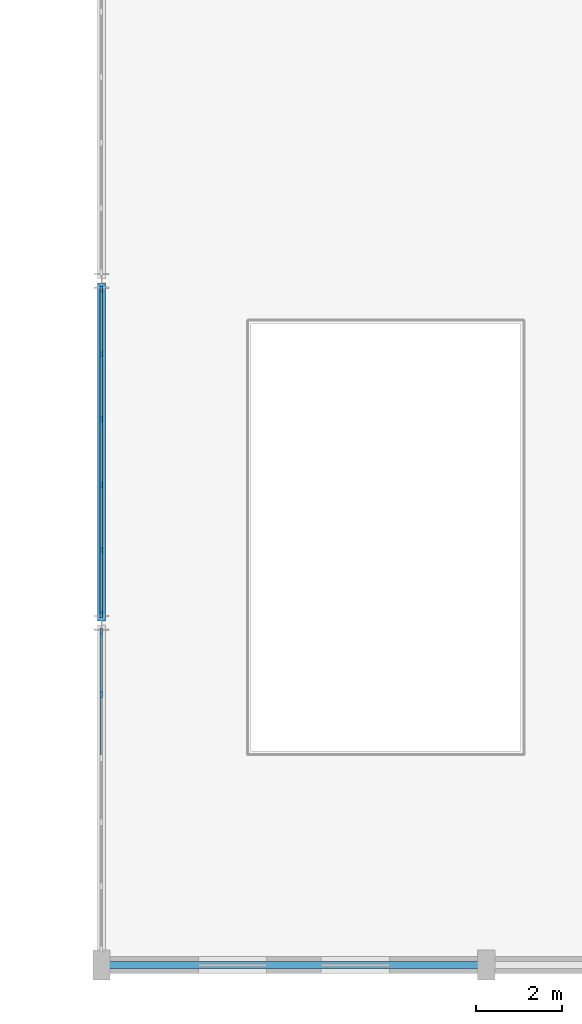
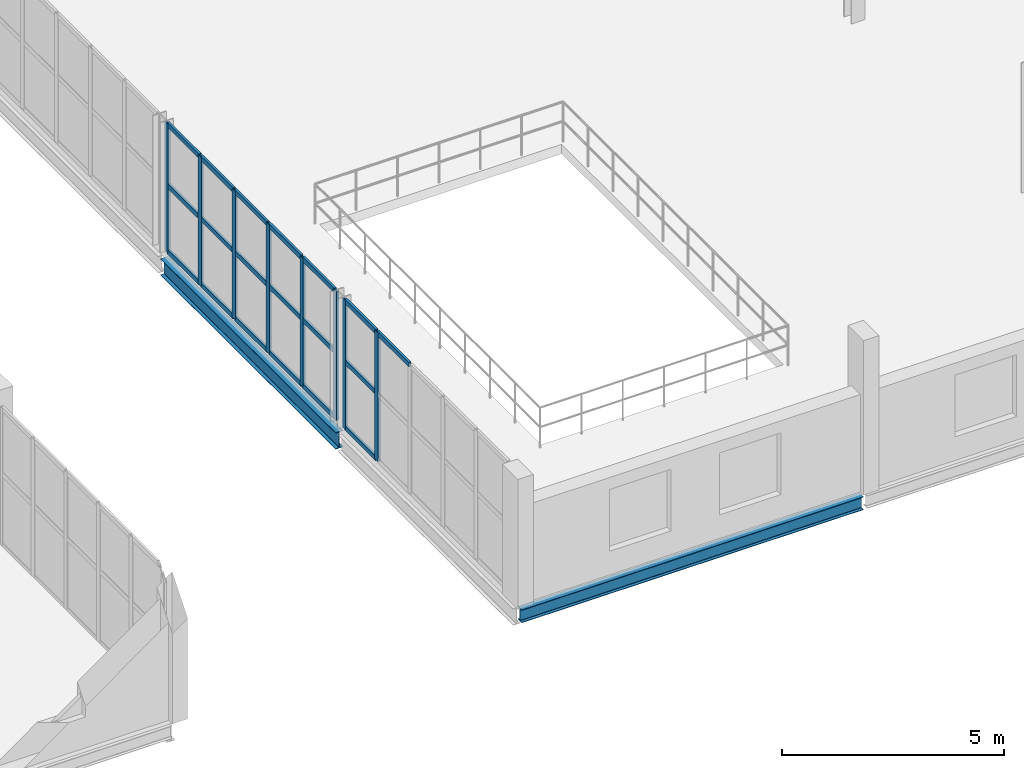
# One storey, part 15 of 73: 27 members, 2 beams, 2 elements without a shape of their own.
"""IFC4 building model written with IfcOpenShell, lengths in metres."""

from ifc_helpers import new_model, si_unit, direction, frame, origin, origin_2d, place, context, subcontext, project, spatial, rectangle, i_section, extrude, material, layer, layer_set, material_profile, profile_set, type_object, element, aggregate, save


model = new_model("IFC4")

# Units and contexts
model_context = context("Model", 3, precision=1e-05, world=origin(), true_north=direction((0.0, 1.0)))
body_context = subcontext(model_context, "Body", "Model", "MODEL_VIEW")
ifc_project = project(units=[si_unit("LENGTHUNIT", "METRE"), si_unit("AREAUNIT", "SQUARE_METRE"), si_unit("VOLUMEUNIT", "CUBIC_METRE"), si_unit("PLANEANGLEUNIT", "RADIAN"), si_unit("MASSUNIT", "GRAM", prefix="KILO")], contexts=[model_context])

# Site, building, storey
site_placement = place(None, origin())
site = spatial("IfcSite", under=ifc_project, at=site_placement, CompositionType="ELEMENT")
building_placement = place(site_placement, origin())
building = spatial("IfcBuilding", under=site, at=building_placement, Name="Marnock Terrace Opera House", CompositionType="ELEMENT")
storey_placement = place(building_placement, frame((0.0, 0.0, 14.699951171875)))
storey = spatial("IfcBuildingStorey", under=building, at=storey_placement, Name="L03", CompositionType="ELEMENT", Elevation=14.699951171875)

# Beams
ifc_material_1 = material(Name="Steel Grade 350 (AS/NZS 3679.1)", Category="steel")
ifc_material_profile_1 = material_profile(ifc_material_1, i_section(OverallWidth=0.18994140625, OverallDepth=0.45751953125, WebThickness=0.009033203125, FlangeThickness=0.014404296875, FilletRadius=0.011474609375, at=origin_2d()))
ifc_profile_set_1 = profile_set([ifc_material_profile_1], Name="Steel Grade 350 (AS/NZS 3679.1)")
beam_type_1 = type_object("IfcBeamType", Name="BM-GIRD-460B", PredefinedType="BEAM", material=ifc_profile_set_1)
beam_1_placement = place(storey_placement, frame((55.0, 16.050048828125, -0.48876953125), z_axis=(0.0, 1.0, 0.0), x_axis=(-1.0, 0.0, 0.0)))
element("IfcBeam", 1, at=beam_1_placement, inside=storey, type_object=beam_type_1, Name="L03 girder (X=55.0, 16.0..24.0)", PredefinedType="BEAM", context=body_context, shape_type="SweptSolid", body=[
    extrude(i_section(OverallWidth=0.18994140625, OverallDepth=0.45751953125, WebThickness=0.009033203125, FlangeThickness=0.014404296875, FilletRadius=0.011474609375, at=origin_2d()), origin(), (0.0, 0.0, 1.0), 7.89990234375),
])
ifc_material_profile_2 = material_profile(ifc_material_1, i_section(OverallWidth=0.172119140625, OverallDepth=0.358642578125, WebThickness=0.008056640625, FlangeThickness=0.012939453125, FilletRadius=0.011474609375, at=origin_2d()))
ifc_profile_set_2 = profile_set([ifc_material_profile_2], Name="Steel Grade 350 (AS/NZS 3679.1)")
beam_type_2 = type_object("IfcBeamType", Name="BM-SPAN-360", PredefinedType="SPANDREL", material=ifc_profile_set_2)
beam_2_placement = place(storey_placement, frame((55.050048828125, 8.0, -0.439208984375), z_axis=(1.0, 0.0, 0.0), x_axis=(0.0, 1.0, 0.0)))
element("IfcBeam", 2, at=beam_2_placement, inside=storey, type_object=beam_type_2, Name="L03 girder (55.0..64.0, Y=8.0)", PredefinedType="SPANDREL", context=body_context, shape_type="SweptSolid", body=[
    extrude(i_section(OverallWidth=0.172119140625, OverallDepth=0.358642578125, WebThickness=0.008056640625, FlangeThickness=0.012939453125, FilletRadius=0.011474609375, at=origin_2d()), origin(), (0.0, 0.0, 1.0), 8.89990234375),
])

# Curtain wall, members
ifc_material_2 = material(Name="Anodised architectural bronze aluminium framing", Category="aluminium")
ifc_layer = layer(ifc_material_2, 0.159912109375)
ifc_layer_set = layer_set([ifc_layer], Name="Anodised architectural bronze aluminium framing")
curtain_wall_type = type_object("IfcCurtainWallType", Name="CW-FOYER-80x42", PredefinedType="NOTDEFINED", material=ifc_layer_set)
curtain_wall_1_placement = place(storey_placement, origin())
curtain_wall_1 = element("IfcCurtainWall", 3, at=curtain_wall_1_placement, inside=storey, type_object=curtain_wall_type, Name="L03 glazed Beaux-Arts colonnade curtain wall CW-V1W-L03-01", PredefinedType="NOTDEFINED")
ifc_material_profile_3 = material_profile(ifc_material_2, rectangle(XDim=0.06005859375, YDim=0.14990234375, at=origin_2d()))
ifc_profile_set_3 = profile_set([ifc_material_profile_3], Name="Anodised architectural bronze aluminium framing")
member_type_1 = type_object("IfcMemberType", Name="CWM-60x150", PredefinedType="MULLION", material=ifc_profile_set_3)
member_1_placement = place(storey_placement, frame((55.0, 14.33251953125, 0.0), z_axis=(0.0, 0.0, 1.0), x_axis=(-1.0, 0.0, 0.0)))
member_1 = element("IfcMember", 4, at=member_1_placement, type_object=member_type_1, Name="CW-62 mullion 5", PredefinedType="MULLION", context=body_context, shape_type="SweptSolid", body=[
    extrude(rectangle(XDim=0.06005859375, YDim=0.14990234375, at=origin_2d()), origin(), (0.0, 0.0, 1.0), 3.546142578125),
])
member_2_placement = place(storey_placement, frame((55.0, 15.799072265625, 0.0), z_axis=(0.0, 0.0, 1.0), x_axis=(-1.0, 0.0, 0.0)))
member_2 = element("IfcMember", 5, at=member_2_placement, type_object=member_type_1, Name="CW-62 mullion 6", PredefinedType="MULLION", context=body_context, shape_type="SweptSolid", body=[
    extrude(rectangle(XDim=0.06005859375, YDim=0.14990234375, at=origin_2d()), origin(), (0.0, 0.0, 1.0), 3.546142578125),
])

curtain_wall_2_placement = place(storey_placement, origin())
curtain_wall_2 = element("IfcCurtainWall", 6, at=curtain_wall_2_placement, inside=storey, type_object=curtain_wall_type, Name="L03 glazed Beaux-Arts colonnade curtain wall CW-V1W-L03-02", PredefinedType="NOTDEFINED")
member_3_placement = place(storey_placement, frame((55.0, 16.200927734375, 0.0), z_axis=(0.0, 0.0, 1.0), x_axis=(-1.0, 0.0, 0.0)))
member_3 = element("IfcMember", 7, at=member_3_placement, type_object=member_type_1, Name="CW-62 mullion 1", PredefinedType="MULLION", context=body_context, shape_type="SweptSolid", body=[
    extrude(rectangle(XDim=0.06005859375, YDim=0.14990234375, at=origin_2d()), origin(), (0.0, 0.0, 1.0), 3.546142578125),
])
member_4_placement = place(storey_placement, frame((55.0, 17.70263671875, 0.0), z_axis=(0.0, 0.0, 1.0), x_axis=(-1.0, 0.0, 0.0)))
member_4 = element("IfcMember", 8, at=member_4_placement, type_object=member_type_1, Name="CW-62 mullion 2", PredefinedType="MULLION", context=body_context, shape_type="SweptSolid", body=[
    extrude(rectangle(XDim=0.06005859375, YDim=0.14990234375, at=origin_2d()), origin(), (0.0, 0.0, 1.0), 3.546142578125),
])
member_5_placement = place(storey_placement, frame((55.0, 19.234130859375, 0.0), z_axis=(0.0, 0.0, 1.0), x_axis=(-1.0, 0.0, 0.0)))
member_5 = element("IfcMember", 9, at=member_5_placement, type_object=member_type_1, Name="CW-62 mullion 3", PredefinedType="MULLION", context=body_context, shape_type="SweptSolid", body=[
    extrude(rectangle(XDim=0.06005859375, YDim=0.14990234375, at=origin_2d()), origin(), (0.0, 0.0, 1.0), 3.546142578125),
])
member_6_placement = place(storey_placement, frame((55.0, 20.765869140625, 0.0), z_axis=(0.0, 0.0, 1.0), x_axis=(-1.0, 0.0, 0.0)))
member_6 = element("IfcMember", 10, at=member_6_placement, type_object=member_type_1, Name="CW-62 mullion 4", PredefinedType="MULLION", context=body_context, shape_type="SweptSolid", body=[
    extrude(rectangle(XDim=0.06005859375, YDim=0.14990234375, at=origin_2d()), origin(), (0.0, 0.0, 1.0), 3.546142578125),
])
member_7_placement = place(storey_placement, frame((55.0, 22.29736328125, 0.0), z_axis=(0.0, 0.0, 1.0), x_axis=(-1.0, 0.0, 0.0)))
member_7 = element("IfcMember", 11, at=member_7_placement, type_object=member_type_1, Name="CW-62 mullion 5", PredefinedType="MULLION", context=body_context, shape_type="SweptSolid", body=[
    extrude(rectangle(XDim=0.06005859375, YDim=0.14990234375, at=origin_2d()), origin(), (0.0, 0.0, 1.0), 3.546142578125),
])
member_8_placement = place(storey_placement, frame((55.0, 23.799072265625, 0.0), z_axis=(0.0, 0.0, 1.0), x_axis=(-1.0, 0.0, 0.0)))
member_8 = element("IfcMember", 12, at=member_8_placement, type_object=member_type_1, Name="CW-62 mullion 6", PredefinedType="MULLION", context=body_context, shape_type="SweptSolid", body=[
    extrude(rectangle(XDim=0.06005859375, YDim=0.14990234375, at=origin_2d()), origin(), (0.0, 0.0, 1.0), 3.546142578125),
])

# Member
ifc_material_profile_4 = material_profile(ifc_material_2, rectangle(XDim=0.06005859375, YDim=0.1298828125, at=origin_2d()))
ifc_profile_set_4 = profile_set([ifc_material_profile_4], Name="Anodised architectural bronze aluminium framing")
member_type_2 = type_object("IfcMemberType", Name="CWT-60x130", PredefinedType="USERDEFINED", material=ifc_profile_set_4)
member_9_placement = place(storey_placement, frame((55.0, 12.86572265625, 3.51611328125), z_axis=(0.0, 1.0, 0.0), x_axis=(-1.0, 0.0, 0.0)))
member_9 = element("IfcMember", 13, at=member_9_placement, type_object=member_type_2, Name="CW-62 transom 4.3", ObjectType="TRANSOM", PredefinedType="USERDEFINED", context=body_context, shape_type="SweptSolid", body=[
    extrude(rectangle(XDim=0.06005859375, YDim=0.1298828125, at=origin_2d()), origin(), (0.0, 0.0, 1.0), 1.436767578125),
])

member_10_placement = place(storey_placement, frame((55.0, 14.3623046875, 0.030029296875), z_axis=(0.0, 1.0, 0.0), x_axis=(-1.0, 0.0, 0.0)))
member_10 = element("IfcMember", 14, at=member_10_placement, type_object=member_type_2, Name="CW-62 transom 5.1", ObjectType="TRANSOM", PredefinedType="USERDEFINED", context=body_context, shape_type="SweptSolid", body=[
    extrude(rectangle(XDim=0.06005859375, YDim=0.1298828125, at=origin_2d()), origin(), (0.0, 0.0, 1.0), 1.40673828125),
])

member_11_placement = place(storey_placement, frame((55.0, 14.3623046875, 1.843994140625), z_axis=(0.0, 1.0, 0.0), x_axis=(-1.0, 0.0, 0.0)))
member_11 = element("IfcMember", 15, at=member_11_placement, type_object=member_type_2, Name="CW-62 transom 5.2", ObjectType="TRANSOM", PredefinedType="USERDEFINED", context=body_context, shape_type="SweptSolid", body=[
    extrude(rectangle(XDim=0.06005859375, YDim=0.1298828125, at=origin_2d()), origin(), (0.0, 0.0, 1.0), 1.40673828125),
])

member_12_placement = place(storey_placement, frame((55.0, 14.3623046875, 3.51611328125), z_axis=(0.0, 1.0, 0.0), x_axis=(-1.0, 0.0, 0.0)))
member_12 = element("IfcMember", 16, at=member_12_placement, type_object=member_type_2, Name="CW-62 transom 5.3", ObjectType="TRANSOM", PredefinedType="USERDEFINED", context=body_context, shape_type="SweptSolid", body=[
    extrude(rectangle(XDim=0.06005859375, YDim=0.1298828125, at=origin_2d()), origin(), (0.0, 0.0, 1.0), 1.40673828125),
])

aggregate(curtain_wall_1, [member_1, member_2, member_9, member_10, member_11, member_12])

member_13_placement = place(storey_placement, frame((55.0, 16.23095703125, 0.030029296875), z_axis=(0.0, 1.0, 0.0), x_axis=(-1.0, 0.0, 0.0)))
member_13 = element("IfcMember", 17, at=member_13_placement, type_object=member_type_2, Name="CW-62 transom 1.1", ObjectType="TRANSOM", PredefinedType="USERDEFINED", context=body_context, shape_type="SweptSolid", body=[
    extrude(rectangle(XDim=0.06005859375, YDim=0.1298828125, at=origin_2d()), origin(), (0.0, 0.0, 1.0), 1.441650390625),
])

member_14_placement = place(storey_placement, frame((55.0, 16.23095703125, 1.843994140625), z_axis=(0.0, 1.0, 0.0), x_axis=(-1.0, 0.0, 0.0)))
member_14 = element("IfcMember", 18, at=member_14_placement, type_object=member_type_2, Name="CW-62 transom 1.2", ObjectType="TRANSOM", PredefinedType="USERDEFINED", context=body_context, shape_type="SweptSolid", body=[
    extrude(rectangle(XDim=0.06005859375, YDim=0.1298828125, at=origin_2d()), origin(), (0.0, 0.0, 1.0), 1.441650390625),
])

member_15_placement = place(storey_placement, frame((55.0, 16.23095703125, 3.51611328125), z_axis=(0.0, 1.0, 0.0), x_axis=(-1.0, 0.0, 0.0)))
member_15 = element("IfcMember", 19, at=member_15_placement, type_object=member_type_2, Name="CW-62 transom 1.3", ObjectType="TRANSOM", PredefinedType="USERDEFINED", context=body_context, shape_type="SweptSolid", body=[
    extrude(rectangle(XDim=0.06005859375, YDim=0.1298828125, at=origin_2d()), origin(), (0.0, 0.0, 1.0), 1.441650390625),
])

member_16_placement = place(storey_placement, frame((55.0, 17.732666015625, 0.030029296875), z_axis=(0.0, 1.0, 0.0), x_axis=(-1.0, 0.0, 0.0)))
member_16 = element("IfcMember", 20, at=member_16_placement, type_object=member_type_2, Name="CW-62 transom 2.1", ObjectType="TRANSOM", PredefinedType="USERDEFINED", context=body_context, shape_type="SweptSolid", body=[
    extrude(rectangle(XDim=0.06005859375, YDim=0.1298828125, at=origin_2d()), origin(), (0.0, 0.0, 1.0), 1.471435546875),
])

member_17_placement = place(storey_placement, frame((55.0, 17.732666015625, 1.843994140625), z_axis=(0.0, 1.0, 0.0), x_axis=(-1.0, 0.0, 0.0)))
member_17 = element("IfcMember", 21, at=member_17_placement, type_object=member_type_2, Name="CW-62 transom 2.2", ObjectType="TRANSOM", PredefinedType="USERDEFINED", context=body_context, shape_type="SweptSolid", body=[
    extrude(rectangle(XDim=0.06005859375, YDim=0.1298828125, at=origin_2d()), origin(), (0.0, 0.0, 1.0), 1.471435546875),
])

member_18_placement = place(storey_placement, frame((55.0, 17.732666015625, 3.51611328125), z_axis=(0.0, 1.0, 0.0), x_axis=(-1.0, 0.0, 0.0)))
member_18 = element("IfcMember", 22, at=member_18_placement, type_object=member_type_2, Name="CW-62 transom 2.3", ObjectType="TRANSOM", PredefinedType="USERDEFINED", context=body_context, shape_type="SweptSolid", body=[
    extrude(rectangle(XDim=0.06005859375, YDim=0.1298828125, at=origin_2d()), origin(), (0.0, 0.0, 1.0), 1.471435546875),
])

member_19_placement = place(storey_placement, frame((55.0, 19.26416015625, 0.030029296875), z_axis=(0.0, 1.0, 0.0), x_axis=(-1.0, 0.0, 0.0)))
member_19 = element("IfcMember", 23, at=member_19_placement, type_object=member_type_2, Name="CW-62 transom 3.1", ObjectType="TRANSOM", PredefinedType="USERDEFINED", context=body_context, shape_type="SweptSolid", body=[
    extrude(rectangle(XDim=0.06005859375, YDim=0.1298828125, at=origin_2d()), origin(), (0.0, 0.0, 1.0), 1.4716796875),
])

member_20_placement = place(storey_placement, frame((55.0, 19.26416015625, 1.843994140625), z_axis=(0.0, 1.0, 0.0), x_axis=(-1.0, 0.0, 0.0)))
member_20 = element("IfcMember", 24, at=member_20_placement, type_object=member_type_2, Name="CW-62 transom 3.2", ObjectType="TRANSOM", PredefinedType="USERDEFINED", context=body_context, shape_type="SweptSolid", body=[
    extrude(rectangle(XDim=0.06005859375, YDim=0.1298828125, at=origin_2d()), origin(), (0.0, 0.0, 1.0), 1.4716796875),
])

member_21_placement = place(storey_placement, frame((55.0, 19.26416015625, 3.51611328125), z_axis=(0.0, 1.0, 0.0), x_axis=(-1.0, 0.0, 0.0)))
member_21 = element("IfcMember", 25, at=member_21_placement, type_object=member_type_2, Name="CW-62 transom 3.3", ObjectType="TRANSOM", PredefinedType="USERDEFINED", context=body_context, shape_type="SweptSolid", body=[
    extrude(rectangle(XDim=0.06005859375, YDim=0.1298828125, at=origin_2d()), origin(), (0.0, 0.0, 1.0), 1.4716796875),
])

member_22_placement = place(storey_placement, frame((55.0, 20.7958984375, 0.030029296875), z_axis=(0.0, 1.0, 0.0), x_axis=(-1.0, 0.0, 0.0)))
member_22 = element("IfcMember", 26, at=member_22_placement, type_object=member_type_2, Name="CW-62 transom 4.1", ObjectType="TRANSOM", PredefinedType="USERDEFINED", context=body_context, shape_type="SweptSolid", body=[
    extrude(rectangle(XDim=0.06005859375, YDim=0.1298828125, at=origin_2d()), origin(), (0.0, 0.0, 1.0), 1.471435546875),
])

member_23_placement = place(storey_placement, frame((55.0, 20.7958984375, 1.843994140625), z_axis=(0.0, 1.0, 0.0), x_axis=(-1.0, 0.0, 0.0)))
member_23 = element("IfcMember", 27, at=member_23_placement, type_object=member_type_2, Name="CW-62 transom 4.2", ObjectType="TRANSOM", PredefinedType="USERDEFINED", context=body_context, shape_type="SweptSolid", body=[
    extrude(rectangle(XDim=0.06005859375, YDim=0.1298828125, at=origin_2d()), origin(), (0.0, 0.0, 1.0), 1.471435546875),
])

member_24_placement = place(storey_placement, frame((55.0, 20.7958984375, 3.51611328125), z_axis=(0.0, 1.0, 0.0), x_axis=(-1.0, 0.0, 0.0)))
member_24 = element("IfcMember", 28, at=member_24_placement, type_object=member_type_2, Name="CW-62 transom 4.3", ObjectType="TRANSOM", PredefinedType="USERDEFINED", context=body_context, shape_type="SweptSolid", body=[
    extrude(rectangle(XDim=0.06005859375, YDim=0.1298828125, at=origin_2d()), origin(), (0.0, 0.0, 1.0), 1.471435546875),
])

member_25_placement = place(storey_placement, frame((55.0, 22.327392578125, 0.030029296875), z_axis=(0.0, 1.0, 0.0), x_axis=(-1.0, 0.0, 0.0)))
member_25 = element("IfcMember", 29, at=member_25_placement, type_object=member_type_2, Name="CW-62 transom 5.1", ObjectType="TRANSOM", PredefinedType="USERDEFINED", context=body_context, shape_type="SweptSolid", body=[
    extrude(rectangle(XDim=0.06005859375, YDim=0.1298828125, at=origin_2d()), origin(), (0.0, 0.0, 1.0), 1.441650390625),
])

member_26_placement = place(storey_placement, frame((55.0, 22.327392578125, 1.843994140625), z_axis=(0.0, 1.0, 0.0), x_axis=(-1.0, 0.0, 0.0)))
member_26 = element("IfcMember", 30, at=member_26_placement, type_object=member_type_2, Name="CW-62 transom 5.2", ObjectType="TRANSOM", PredefinedType="USERDEFINED", context=body_context, shape_type="SweptSolid", body=[
    extrude(rectangle(XDim=0.06005859375, YDim=0.1298828125, at=origin_2d()), origin(), (0.0, 0.0, 1.0), 1.441650390625),
])

member_27_placement = place(storey_placement, frame((55.0, 22.327392578125, 3.51611328125), z_axis=(0.0, 1.0, 0.0), x_axis=(-1.0, 0.0, 0.0)))
member_27 = element("IfcMember", 31, at=member_27_placement, type_object=member_type_2, Name="CW-62 transom 5.3", ObjectType="TRANSOM", PredefinedType="USERDEFINED", context=body_context, shape_type="SweptSolid", body=[
    extrude(rectangle(XDim=0.06005859375, YDim=0.1298828125, at=origin_2d()), origin(), (0.0, 0.0, 1.0), 1.441650390625),
])

aggregate(curtain_wall_2, [member_3, member_4, member_5, member_6, member_7, member_8, member_13, member_14, member_15, member_16, member_17, member_18, member_19, member_20, member_21, member_22, member_23, member_24, member_25, member_26, member_27])

save(model, "model.ifc")
